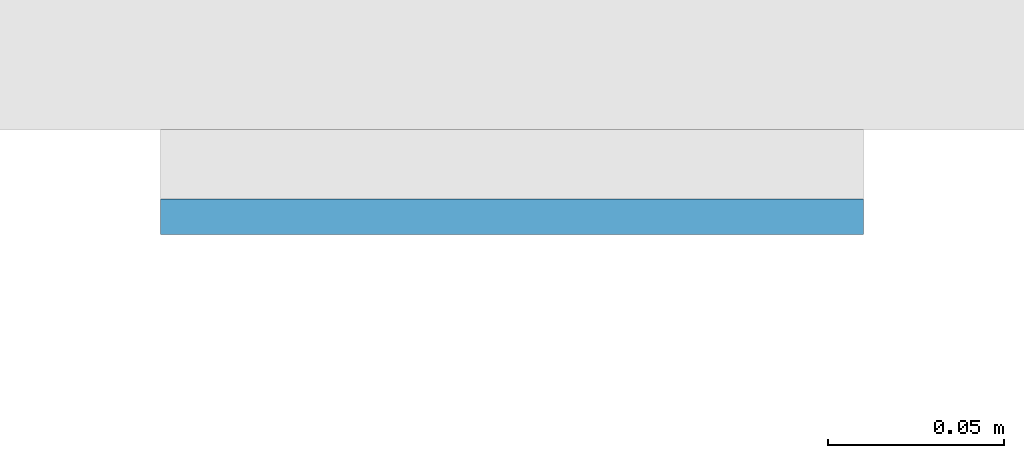
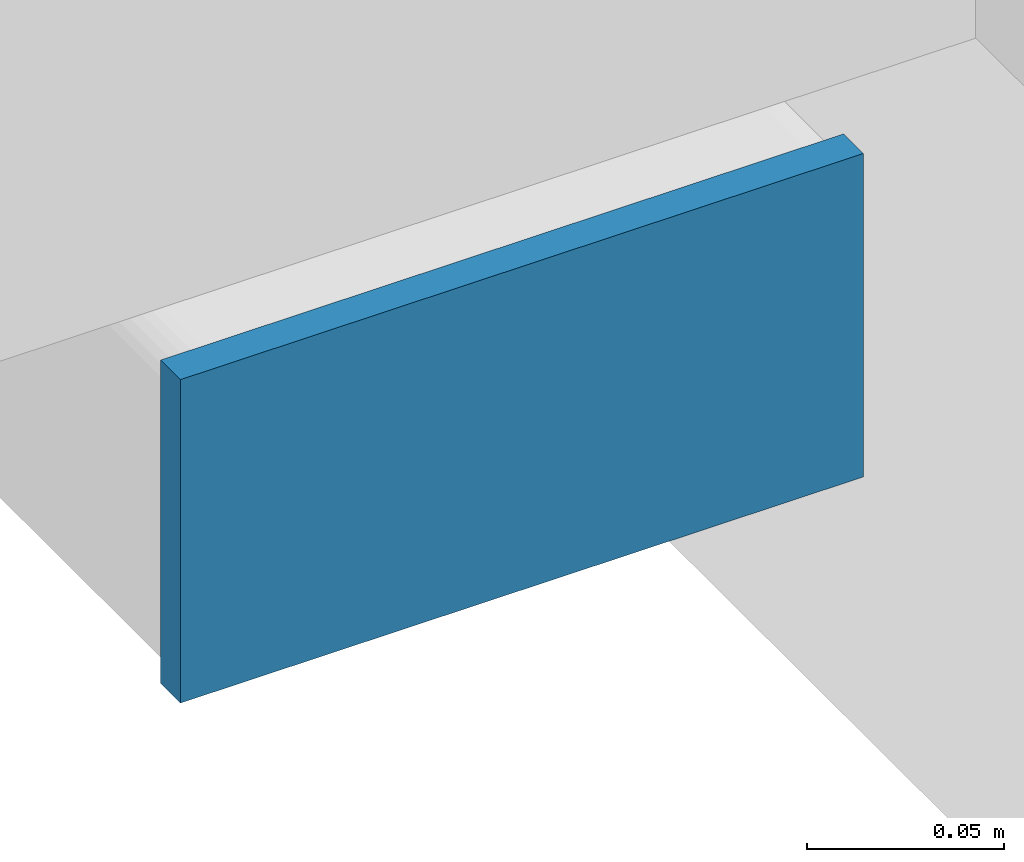
# One storey, part 10 of 22: 1 plate.
"""IFC4 building model written with IfcOpenShell, lengths in metres."""

from ifc_helpers import new_model, si_unit, direction, frame, origin, origin_2d, place, context, subcontext, project, spatial, rectangle, extrude, material, layer, layer_set, type_object, element, save


model = new_model("IFC4")

# Units and contexts
model_context = context("Model", 3, precision=1e-05, world=origin(), true_north=direction((0.0, 1.0)))
body_context = subcontext(model_context, "Body", "Model", "MODEL_VIEW")
ifc_project = project(units=[si_unit("LENGTHUNIT", "METRE"), si_unit("AREAUNIT", "SQUARE_METRE"), si_unit("VOLUMEUNIT", "CUBIC_METRE"), si_unit("PLANEANGLEUNIT", "RADIAN"), si_unit("MASSUNIT", "GRAM", prefix="KILO")], contexts=[model_context])

# Site, building, storey
site_placement = place(None, origin())
site = spatial("IfcSite", under=ifc_project, at=site_placement, CompositionType="ELEMENT")
building_placement = place(site_placement, origin())
building = spatial("IfcBuilding", under=site, at=building_placement, Name="Cleftline Residences", CompositionType="ELEMENT")
storey_placement = place(building_placement, frame((0.0, 0.0, 29.60009765625)))
storey = spatial("IfcBuildingStorey", under=building, at=storey_placement, Name="L06", CompositionType="ELEMENT", Elevation=29.60009765625)

# Plate
ifc_material = material(Name="Steel S355, hot-dip galvanised", Category="steel")
ifc_layer = layer(ifc_material, 0.010009765625)
ifc_layer_set = layer_set([ifc_layer], Name="BAGUETTE CARRIER END PLATE 200X100X10")
plate_type = type_object("IfcPlateType", Name="BAGUETTE CARRIER END PLATE 200X100X10", PredefinedType="USERDEFINED", material=ifc_layer_set)
plate_placement = place(storey_placement, frame((-0.85009765625, 3.695068359375, -0.10009765625), z_axis=(0.0, 0.0, 1.0), x_axis=(-1.0, 0.0, 0.0)))
element("IfcPlate", 1, at=plate_placement, inside=storey, type_object=plate_type, Name="Baguette carrier end plate", ObjectType="BAGUETTE CARRIER END PLATE", PredefinedType="USERDEFINED", context=body_context, shape_type="SweptSolid", body=[
    extrude(rectangle(XDim=0.199951171875, YDim=0.010009765625, at=origin_2d()), origin(), (0.0, 0.0, 1.0), 0.10009765625),
])

save(model, "model.ifc")
